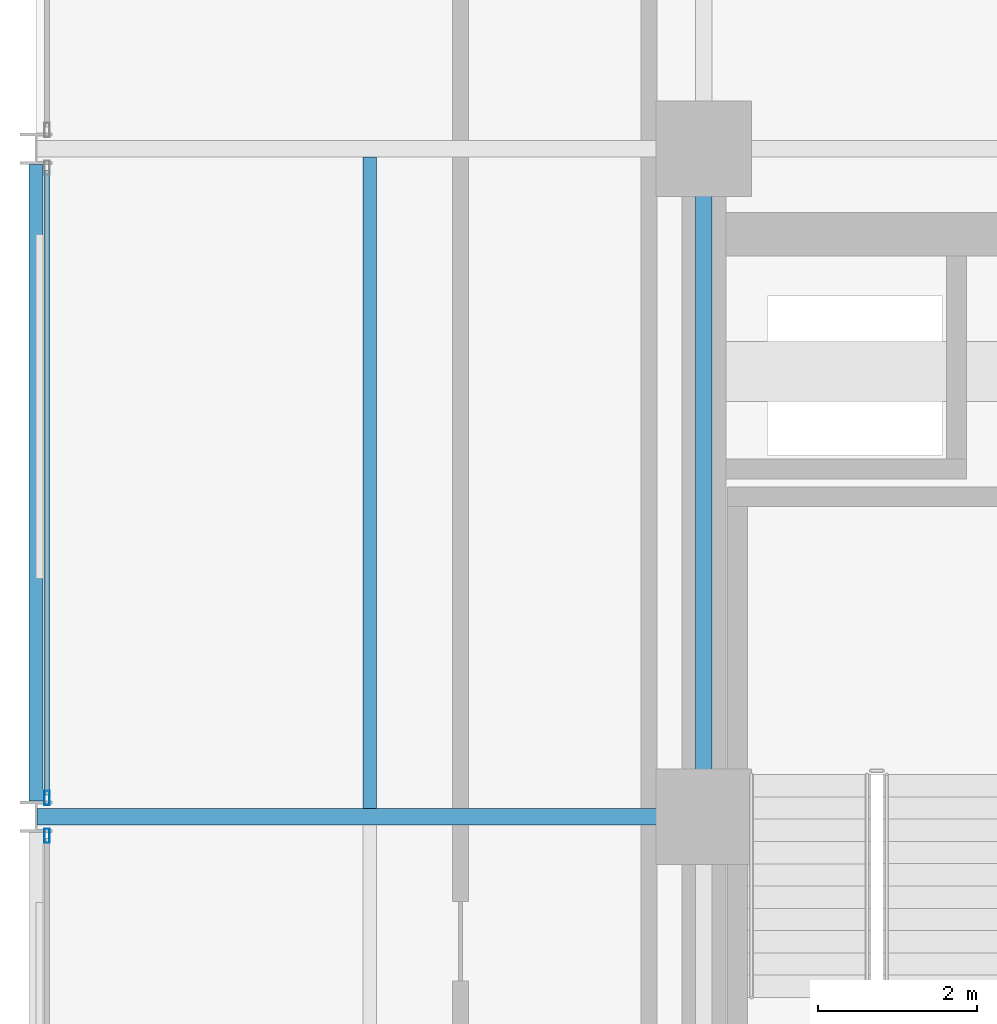
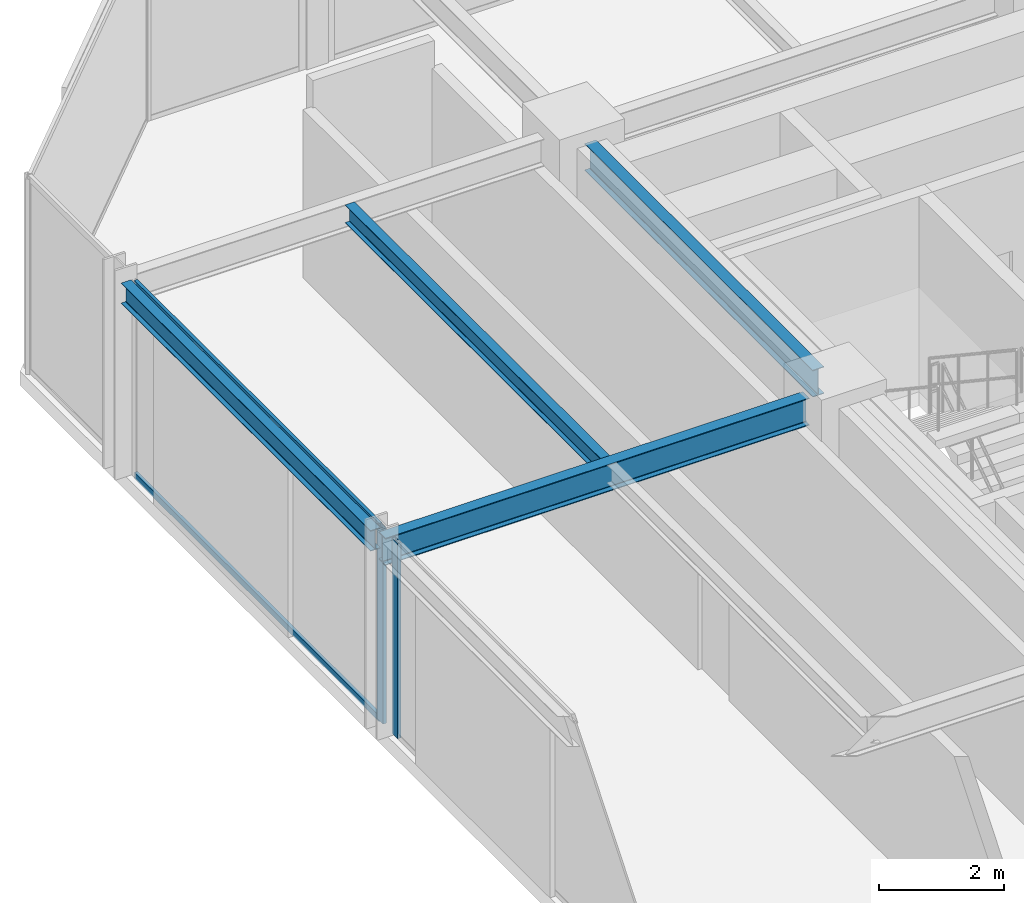
# One storey, part 16 of 29: 4 beams, 4 members, 2 elements without a shape of their own.
"""IFC4 building model written with IfcOpenShell, lengths in metres."""

from ifc_helpers import new_model, si_unit, direction, frame, origin, origin_2d, place, context, subcontext, project, spatial, hollow_rectangle, i_section, extrude, material, layer, layer_set, material_profile, profile_set, type_object, element, aggregate, save


model = new_model("IFC4")

# Units and contexts
model_context = context("Model", 3, precision=1e-05, world=origin(), true_north=direction((0.0, 1.0)))
body_context = subcontext(model_context, "Body", "Model", "MODEL_VIEW")
ifc_project = project(units=[si_unit("LENGTHUNIT", "METRE"), si_unit("AREAUNIT", "SQUARE_METRE"), si_unit("VOLUMEUNIT", "CUBIC_METRE"), si_unit("PLANEANGLEUNIT", "RADIAN"), si_unit("MASSUNIT", "GRAM", prefix="KILO")], contexts=[model_context])

# Site, building, storey
site_placement = place(None, origin())
site = spatial("IfcSite", under=ifc_project, at=site_placement, CompositionType="ELEMENT")
building_placement = place(site_placement, origin())
building = spatial("IfcBuilding", under=site, at=building_placement, Name="Nerrivon Quay Data Exchange", CompositionType="ELEMENT")
storey_placement = place(building_placement, frame((0.0, 0.0, 121.300048828125)))
storey = spatial("IfcBuildingStorey", under=building, at=storey_placement, Name="L28", CompositionType="ELEMENT", Elevation=121.300048828125)

# Beams
ifc_material_1 = material(Name="Steel Grade 350", Category="steel")
ifc_material_profile_1 = material_profile(ifc_material_1, i_section(OverallWidth=0.208984375, OverallDepth=0.532958984375, WebThickness=0.01025390625, FlangeThickness=0.015625, FilletRadius=0.013916015625, at=origin_2d()), Name="530UB92.4")
ifc_profile_set_1 = profile_set([ifc_material_profile_1], Name="Steel Grade 350")
beam_type_1 = type_object("IfcBeamType", Name="BM-G3-530UB92", PredefinedType="BEAM", material=ifc_profile_set_1)
beam_1_placement = place(storey_placement, frame((0.012451171875, 33.60009765625, 3.558349609375), z_axis=(1.0, 0.0, 0.0), x_axis=(0.0, 1.0, 0.0)))
element("IfcBeam", 1, at=beam_1_placement, inside=storey, type_object=beam_type_1, Name="L28 EW Girder Y=33.6 (0.0..8.4)", PredefinedType="BEAM", context=body_context, shape_type="SweptSolid", body=[
    extrude(i_section(OverallWidth=0.208984375, OverallDepth=0.532958984375, WebThickness=0.01025390625, FlangeThickness=0.015625, FilletRadius=0.013916015625, at=origin_2d()), origin(), (0.0, 0.0, 1.0), 7.84765625),
])
ifc_material_profile_2 = material_profile(ifc_material_1, i_section(OverallWidth=0.208984375, OverallDepth=0.528076171875, WebThickness=0.009521484375, FlangeThickness=0.01318359375, FilletRadius=0.013916015625, at=origin_2d()), Name="530UB82.0")
ifc_profile_set_2 = profile_set([ifc_material_profile_2], Name="Steel Grade 350")
beam_type_2 = type_object("IfcBeamType", Name="BM-G4-530UB82", PredefinedType="BEAM", material=ifc_profile_set_2)
beam_2_placement = place(storey_placement, frame((8.39990234375, 34.139892578125, 3.56103515625), z_axis=(0.0, 1.0, 0.0), x_axis=(-1.0, 0.0, 0.0)))
element("IfcBeam", 2, at=beam_2_placement, inside=storey, type_object=beam_type_2, Name="L28 NS Girder X=8.4 (33.6..42.0)", PredefinedType="BEAM", context=body_context, shape_type="SweptSolid", body=[
    extrude(i_section(OverallWidth=0.208984375, OverallDepth=0.528076171875, WebThickness=0.009521484375, FlangeThickness=0.01318359375, FilletRadius=0.013916015625, at=origin_2d()), origin(), (0.0, 0.0, 1.0), 7.320068359375),
])
ifc_material_profile_3 = material_profile(ifc_material_1, i_section(OverallWidth=0.1708984375, OverallDepth=0.35595703125, WebThickness=0.00732421875, FlangeThickness=0.011474609375, FilletRadius=0.011474609375, at=origin_2d()), Name="360UB50.7")
ifc_profile_set_3 = profile_set([ifc_material_profile_3], Name="Steel Grade 350")
beam_type_3 = type_object("IfcBeamType", Name="BM-J4-360UB51", PredefinedType="JOIST", material=ifc_profile_set_3)
beam_3_placement = place(storey_placement, frame((4.199951171875, 33.70458984375, 3.64697265625), z_axis=(0.0, 1.0, 0.0), x_axis=(-1.0, 0.0, 0.0)))
element("IfcBeam", 3, at=beam_3_placement, inside=storey, type_object=beam_type_3, Name="L28 Secondary Joist X=4.2 (33.6..42.0)", PredefinedType="JOIST", context=body_context, shape_type="SweptSolid", body=[
    extrude(i_section(OverallWidth=0.1708984375, OverallDepth=0.35595703125, WebThickness=0.00732421875, FlangeThickness=0.011474609375, FilletRadius=0.011474609375, at=origin_2d()), origin(), (0.0, 0.0, 1.0), 8.19091796875),
])
ifc_material_profile_4 = material_profile(ifc_material_1, i_section(OverallWidth=0.177978515625, OverallDepth=0.403076171875, WebThickness=0.007568359375, FlangeThickness=0.010986328125, FilletRadius=0.011474609375, at=origin_2d()), Name="410UB53.7")
ifc_profile_set_4 = profile_set([ifc_material_profile_4], Name="Steel Grade 350")
beam_type_4 = type_object("IfcBeamType", Name="BM-SP2-410UB54", PredefinedType="SPANDREL", material=ifc_profile_set_4)
beam_4_placement = place(storey_placement, frame((0.0, 33.800048828125, 3.62353515625), z_axis=(0.0, 1.0, 0.0), x_axis=(-1.0, 0.0, 0.0)))
element("IfcBeam", 4, at=beam_4_placement, inside=storey, type_object=beam_type_4, Name="L28 NS Girder X=0.0 (33.6..42.0)", PredefinedType="SPANDREL", context=body_context, shape_type="SweptSolid", body=[
    extrude(i_section(OverallWidth=0.177978515625, OverallDepth=0.403076171875, WebThickness=0.007568359375, FlangeThickness=0.010986328125, FilletRadius=0.011474609375, at=origin_2d()), origin(), (0.0, 0.0, 1.0), 8.0),
])

# Curtain wall, member
ifc_material_2 = material(Name="Anodised aluminium 6063-T6", Category="aluminium")
ifc_layer = layer(ifc_material_2, 0.2099609375)
ifc_layer_set = layer_set([ifc_layer], Name="Anodised aluminium 6063-T6")
curtain_wall_type = type_object("IfcCurtainWallType", Name="CW-SYS-02", PredefinedType="NOTDEFINED", material=ifc_layer_set)
curtain_wall_1_placement = place(storey_placement, origin())
curtain_wall_1 = element("IfcCurtainWall", 5, at=curtain_wall_1_placement, inside=storey, type_object=curtain_wall_type, Name="L28 Unitised Curtain Wall 14", PredefinedType="NOTDEFINED")
ifc_material_profile_5 = material_profile(ifc_material_2, hollow_rectangle(XDim=0.06494140625, YDim=0.179931640625, WallThickness=0.00341796875, at=origin_2d()), Name="ALU-MULL-180x65")
ifc_profile_set_5 = profile_set([ifc_material_profile_5], Name="Anodised aluminium 6063-T6")
member_type_1 = type_object("IfcMemberType", Name="CWM-180x65", PredefinedType="MULLION", material=ifc_profile_set_5)
member_1_placement = place(storey_placement, frame((0.139892578125, 33.362548828125, 0.0), z_axis=(0.0, 0.0, 1.0), x_axis=(-1.0, 0.0, 0.0)))
member_1 = element("IfcMember", 6, at=member_1_placement, type_object=member_type_1, Name="CW02 mullion 2", PredefinedType="MULLION", context=body_context, shape_type="SweptSolid", body=[
    extrude(hollow_rectangle(XDim=0.06494140625, YDim=0.179931640625, WallThickness=0.00341796875, at=origin_2d()), origin(), (0.0, 0.0, 1.0), 3.824951171875),
])
aggregate(curtain_wall_1, [member_1])

# Curtain wall, members
curtain_wall_2_placement = place(storey_placement, origin())
curtain_wall_2 = element("IfcCurtainWall", 7, at=curtain_wall_2_placement, inside=storey, type_object=curtain_wall_type, Name="L28 Unitised Curtain Wall 15", PredefinedType="NOTDEFINED")
member_2_placement = place(storey_placement, frame((0.139892578125, 33.83740234375, 0.0), z_axis=(0.0, 0.0, 1.0), x_axis=(-1.0, 0.0, 0.0)))
member_2 = element("IfcMember", 8, at=member_2_placement, type_object=member_type_1, Name="CW02 mullion 1", PredefinedType="MULLION", context=body_context, shape_type="SweptSolid", body=[
    extrude(hollow_rectangle(XDim=0.06494140625, YDim=0.179931640625, WallThickness=0.00341796875, at=origin_2d()), origin(), (0.0, 0.0, 1.0), 3.824951171875),
])
ifc_material_profile_6 = material_profile(ifc_material_2, hollow_rectangle(XDim=0.06005859375, YDim=0.1201171875, WallThickness=0.003173828125, at=origin_2d()), Name="ALU-TRAN-120x60")
ifc_profile_set_6 = profile_set([ifc_material_profile_6], Name="Anodised aluminium 6063-T6")
member_type_2 = type_object("IfcMemberType", Name="CWT-120x60", PredefinedType="USERDEFINED", material=ifc_profile_set_6)
member_3_placement = place(storey_placement, frame((0.139892578125, 33.875, 0.032470703125), z_axis=(0.0, 1.0, 0.0), x_axis=(-1.0, 0.0, 0.0)))
member_3 = element("IfcMember", 9, at=member_3_placement, type_object=member_type_2, Name="CW02 transom 1.1", ObjectType="TRANSOM", PredefinedType="USERDEFINED", context=body_context, shape_type="SweptSolid", body=[
    extrude(hollow_rectangle(XDim=0.06005859375, YDim=0.1201171875, WallThickness=0.003173828125, at=origin_2d()), origin(), (0.0, 0.0, 1.0), 7.85009765625),
])
member_4_placement = place(storey_placement, frame((0.139892578125, 33.875, 3.79248046875), z_axis=(0.0, 1.0, 0.0), x_axis=(-1.0, 0.0, 0.0)))
member_4 = element("IfcMember", 10, at=member_4_placement, type_object=member_type_2, Name="CW02 transom 1.2", ObjectType="TRANSOM", PredefinedType="USERDEFINED", context=body_context, shape_type="SweptSolid", body=[
    extrude(hollow_rectangle(XDim=0.06005859375, YDim=0.1201171875, WallThickness=0.003173828125, at=origin_2d()), origin(), (0.0, 0.0, 1.0), 7.85009765625),
])
aggregate(curtain_wall_2, [member_2, member_3, member_4])

save(model, "model.ifc")
